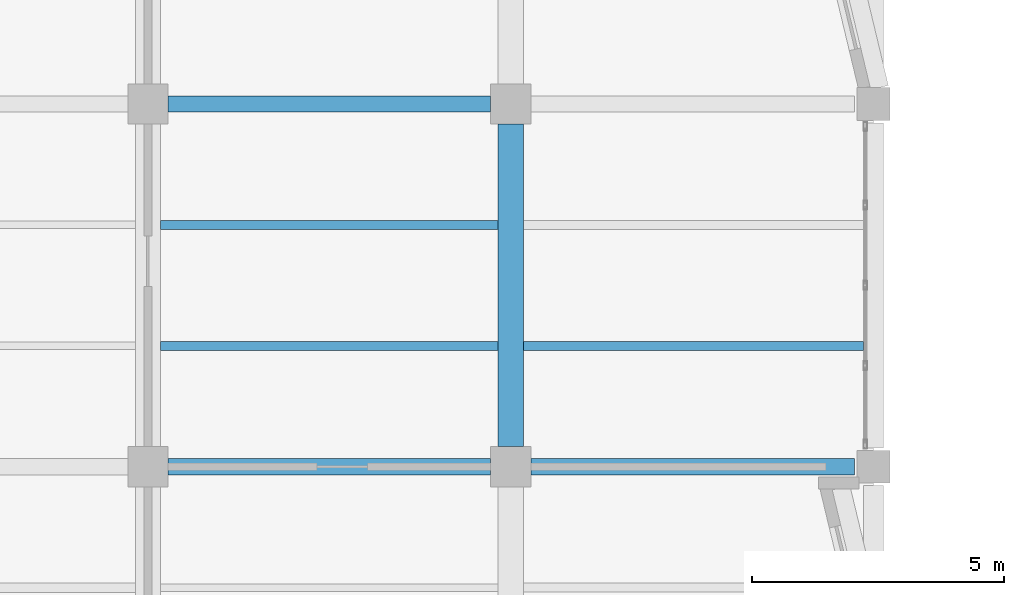
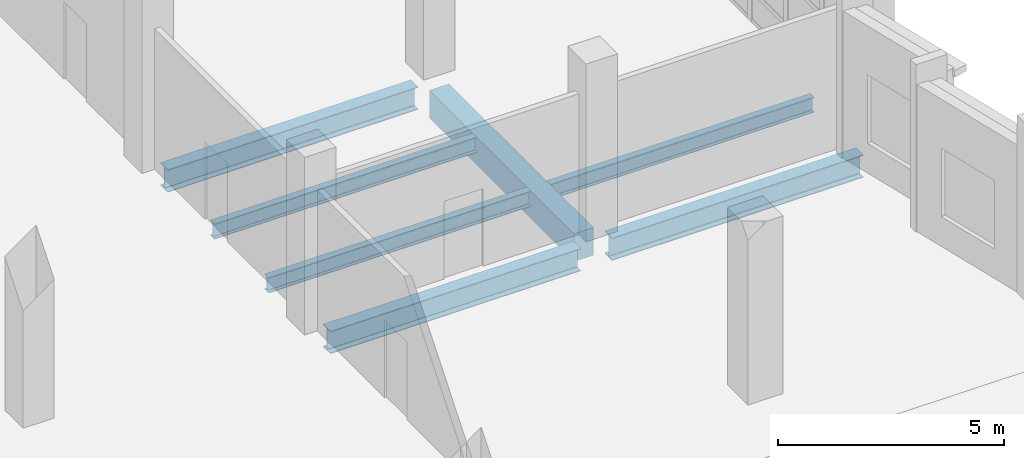
# One storey, part 44 of 127: 7 beams.
"""IFC4 building model written with IfcOpenShell, lengths in metres."""

from ifc_helpers import new_model, si_unit, direction, frame, origin, origin_2d, place, context, subcontext, project, spatial, rectangle, i_section, extrude, material, material_profile, profile_set, type_object, element, save


model = new_model("IFC4")

# Units and contexts
model_context = context("Model", 3, precision=1e-05, world=origin(), true_north=direction((0.0, 1.0)))
body_context = subcontext(model_context, "Body", "Model", "MODEL_VIEW")
ifc_project = project(units=[si_unit("LENGTHUNIT", "METRE"), si_unit("AREAUNIT", "SQUARE_METRE"), si_unit("VOLUMEUNIT", "CUBIC_METRE"), si_unit("PLANEANGLEUNIT", "RADIAN"), si_unit("MASSUNIT", "GRAM", prefix="KILO")], contexts=[model_context])

# Site, building, storey
site_placement = place(None, origin())
site = spatial("IfcSite", under=ifc_project, at=site_placement, CompositionType="ELEMENT")
building_placement = place(site_placement, origin())
building = spatial("IfcBuilding", under=site, at=building_placement, Name="Kalmorath City Hall", CompositionType="ELEMENT")
storey_placement = place(building_placement, frame((0.0, 0.0, 5.39990234375)))
storey = spatial("IfcBuildingStorey", under=building, at=storey_placement, Name="L01", CompositionType="ELEMENT", Elevation=5.39990234375)

# Beams
ifc_material_1 = material(Name="Concrete C40/50", Category="concrete")
ifc_material_profile_1 = material_profile(ifc_material_1, rectangle(XDim=0.5, YDim=0.75, at=origin_2d()), Name="RC-BM-500X750")
ifc_profile_set_1 = profile_set([ifc_material_profile_1], Name="Concrete C40/50")
beam_type_1 = type_object("IfcBeamType", Name="Concrete floor beam 500x750", PredefinedType="BEAM", material=ifc_profile_set_1)
beam_1_placement = place(storey_placement, frame((21.60009765625, 72.39990234375, -0.698974609375), z_axis=(0.0, 1.0, 0.0), x_axis=(-1.0, 0.0, 0.0)))
element("IfcBeam", 1, at=beam_1_placement, inside=storey, type_object=beam_type_1, Name="L01 girder CB3 Y4/11-12", PredefinedType="BEAM", context=body_context, shape_type="SweptSolid", body=[
    extrude(rectangle(XDim=0.5, YDim=0.75, at=origin_2d()), origin(), (0.0, 0.0, 1.0), 6.400146484375),
])
ifc_material_2 = material(Name="Steel ASTM A992 Grade 50", Category="steel")
ifc_material_profile_2 = material_profile(ifc_material_2, i_section(OverallWidth=0.178955078125, OverallDepth=0.409912109375, WebThickness=0.0087890625, FlangeThickness=0.014404296875, FilletRadius=0.012939453125, at=origin_2d()), Name="W16X45")
ifc_profile_set_2 = profile_set([ifc_material_profile_2], Name="Steel ASTM A992 Grade 50")
beam_type_2 = type_object("IfcBeamType", Name="Steel composite joist W16X45", PredefinedType="JOIST", material=ifc_profile_set_2)
beam_2_placement = place(storey_placement, frame((21.85009765625, 74.39990234375, -0.52880859375), z_axis=(1.0, 0.0, 0.0), x_axis=(0.0, 1.0, 0.0)))
element("IfcBeam", 2, at=beam_2_placement, inside=storey, type_object=beam_type_2, Name="L01 joist SJ6 4.11.1", PredefinedType="JOIST", context=body_context, shape_type="SweptSolid", body=[
    extrude(i_section(OverallWidth=0.178955078125, OverallDepth=0.409912109375, WebThickness=0.0087890625, FlangeThickness=0.014404296875, FilletRadius=0.012939453125, at=origin_2d()), origin(), (0.0, 0.0, 1.0), 6.75),
])
ifc_material_3 = material(Name="Steel ASTM A992 Grade 50", Category="steel")
ifc_material_profile_3 = material_profile(ifc_material_3, i_section(OverallWidth=0.180908203125, OverallDepth=0.4169921875, WebThickness=0.010986328125, FlangeThickness=0.018310546875, FilletRadius=0.012939453125, at=origin_2d()), Name="W16X57")
ifc_profile_set_3 = profile_set([ifc_material_profile_3], Name="Steel ASTM A992 Grade 50")
beam_type_3 = type_object("IfcBeamType", Name="Steel composite joist W16X57", PredefinedType="JOIST", material=ifc_profile_set_3)
for number, where, z_axis, x_axis, name in (
    (3, (14.64990234375, 74.39990234375, -0.532470703125), (1.0, 0.0, 0.0), (0.0, 1.0, 0.0), "L01 joist SJ5 3.11.1"),
    (4, (14.64990234375, 76.800048828125, -0.532470703125), (1.0, 0.0, 0.0), (0.0, 1.0, 0.0), "L01 joist SJ5 3.11.2"),
):
    element("IfcBeam", number, at=place(storey_placement, frame(where, z_axis=z_axis, x_axis=x_axis)), inside=storey, type_object=beam_type_3, Name=name, PredefinedType="JOIST", context=body_context, shape_type="SweptSolid", body=[
        extrude(i_section(OverallWidth=0.180908203125, OverallDepth=0.4169921875, WebThickness=0.010986328125, FlangeThickness=0.018310546875, FilletRadius=0.012939453125, at=origin_2d()), origin(), (0.0, 0.0, 1.0), 6.7001953125),
    ])
ifc_material_4 = material(Name="Steel ASTM A992 Grade 50", Category="steel")
ifc_material_profile_4 = material_profile(ifc_material_4, i_section(OverallWidth=0.323974609375, OverallDepth=0.611083984375, WebThickness=0.0126953125, FlangeThickness=0.01904296875, FilletRadius=0.01611328125, at=origin_2d()), Name="W24X104")
ifc_profile_set_4 = profile_set([ifc_material_profile_4], Name="Steel ASTM A992 Grade 50")
beam_type_4 = type_object("IfcBeamType", Name="Steel floor girder W24X104", PredefinedType="BEAM", material=ifc_profile_set_4)
beam_3_placement = place(storey_placement, frame((14.800048828125, 72.0, -0.62939453125), z_axis=(1.0, 0.0, 0.0), x_axis=(0.0, 1.0, 0.0)))
element("IfcBeam", 5, at=beam_3_placement, inside=storey, type_object=beam_type_4, Name="L01 girder SG7 X3-4/11", PredefinedType="BEAM", context=body_context, shape_type="SweptSolid", body=[
    extrude(i_section(OverallWidth=0.323974609375, OverallDepth=0.611083984375, WebThickness=0.0126953125, FlangeThickness=0.01904296875, FilletRadius=0.01611328125, at=origin_2d()), origin(), (0.0, 0.0, 1.0), 6.39990234375),
])
beam_4_placement = place(storey_placement, frame((22.0, 72.0, -0.62939453125), z_axis=(1.0, 0.0, 0.0), x_axis=(0.0, 1.0, 0.0)))
element("IfcBeam", 6, at=beam_4_placement, inside=storey, type_object=beam_type_4, Name="L01 girder SG7 X4-5/11", PredefinedType="BEAM", context=body_context, shape_type="SweptSolid", body=[
    extrude(i_section(OverallWidth=0.323974609375, OverallDepth=0.611083984375, WebThickness=0.0126953125, FlangeThickness=0.01904296875, FilletRadius=0.01611328125, at=origin_2d()), origin(), (0.0, 0.0, 1.0), 6.425048828125),
])
beam_5_placement = place(storey_placement, frame((14.800048828125, 79.199951171875, -0.62939453125), z_axis=(1.0, 0.0, 0.0), x_axis=(0.0, 1.0, 0.0)))
element("IfcBeam", 7, at=beam_5_placement, inside=storey, type_object=beam_type_4, Name="L01 girder SG7 X3-4/12", PredefinedType="BEAM", context=body_context, shape_type="SweptSolid", body=[
    extrude(i_section(OverallWidth=0.323974609375, OverallDepth=0.611083984375, WebThickness=0.0126953125, FlangeThickness=0.01904296875, FilletRadius=0.01611328125, at=origin_2d()), origin(), (0.0, 0.0, 1.0), 6.39990234375),
])

save(model, "model.ifc")
